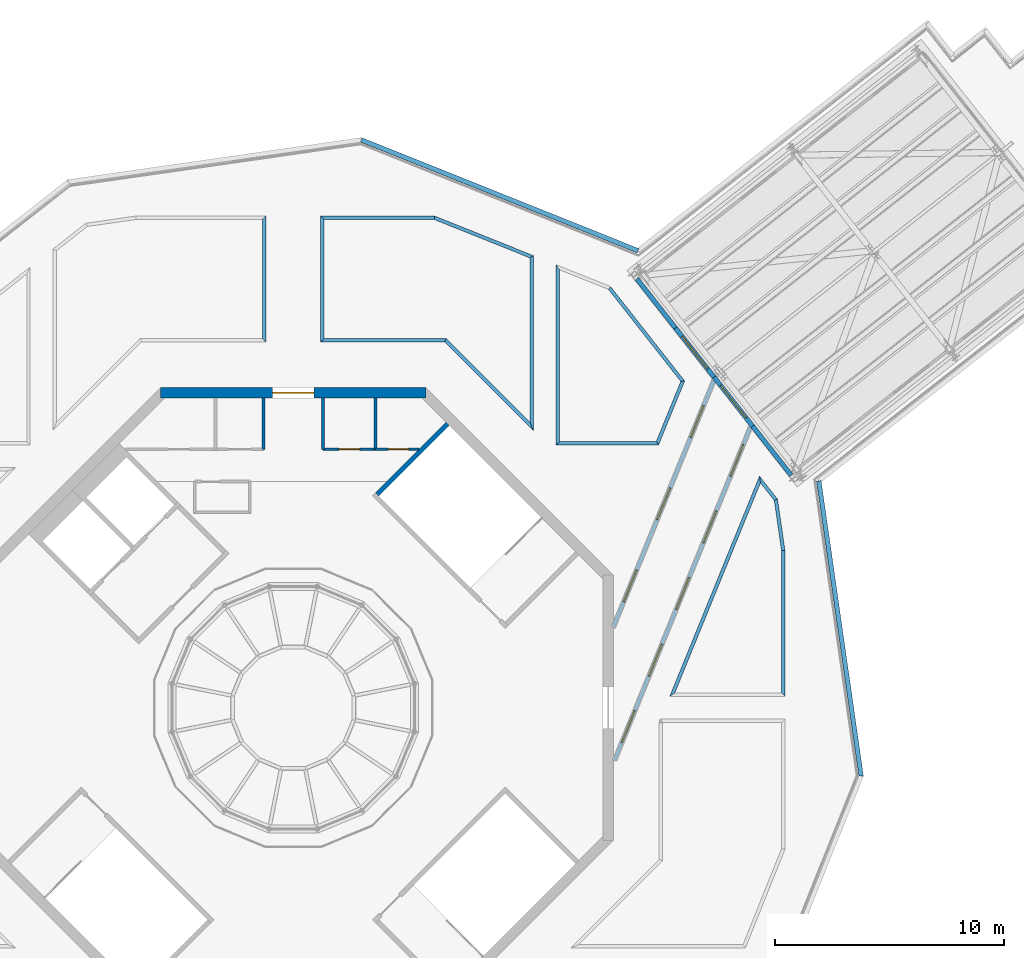
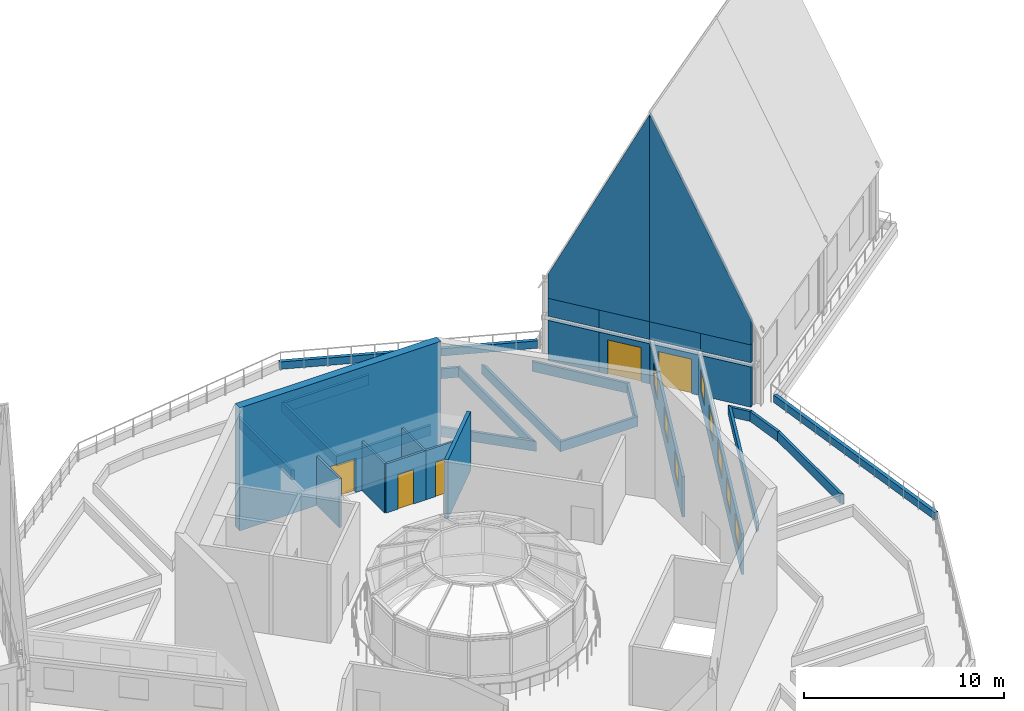
# One storey, part 16 of 32: 36 walls, 8 windows, 5 doors, 13 openings.
"""IFC4 building model written with IfcOpenShell, lengths in metres."""

from ifc_helpers import new_model, si_unit, direction, frame, frame_2d, origin, place, context, subcontext, project, spatial, polyline, rectangle, outline, extrude, material, layer, layer_set, type_object, element, fill, save


model = new_model("IFC4")

# Units and contexts
model_context = context("Model", 3, precision=1e-05, world=origin(), true_north=direction((0.0, 1.0)))
body_context = subcontext(model_context, "Body", "Model", "MODEL_VIEW")
ifc_project = project(units=[si_unit("LENGTHUNIT", "METRE"), si_unit("AREAUNIT", "SQUARE_METRE"), si_unit("VOLUMEUNIT", "CUBIC_METRE"), si_unit("PLANEANGLEUNIT", "RADIAN"), si_unit("MASSUNIT", "GRAM", prefix="KILO")], contexts=[model_context])

# Site, building, storey
site_placement = place(None, origin())
site = spatial("IfcSite", under=ifc_project, at=site_placement, CompositionType="ELEMENT")
building_placement = place(site_placement, origin())
building = spatial("IfcBuilding", under=site, at=building_placement, Name="Verdalira Terraces Hotel", CompositionType="ELEMENT")
storey_placement = place(building_placement, frame((0.0, 0.0, 315.0)))
storey = spatial("IfcBuildingStorey", under=building, at=storey_placement, Name="L78", CompositionType="ELEMENT", Elevation=315.0)

# Walls
ifc_material_1 = material(Name="Concrete C40", Category="concrete")
ifc_layer_1 = layer(ifc_material_1, 0.199951171875)
ifc_layer_set_1 = layer_set([ifc_layer_1], Name="Bronze clad gable end wall 200 mm")
wall_type_1 = type_object("IfcWallType", Name="Bronze clad gable end wall 200 mm", PredefinedType="SOLIDWALL", material=ifc_layer_set_1)
wall_1_placement = place(storey_placement, frame((21.774658, 10.16626, 0.0), z_axis=(0.0, 0.0, 1.0), x_axis=(-0.6178334, 0.78630903, 0.0)))
element("IfcWall", 1, at=wall_1_placement, inside=storey, type_object=wall_type_1, Name="Bronze clad gable end wall G3S1", PredefinedType="SOLIDWALL", context=body_context, shape_type="SweptSolid", body=[
    extrude(rectangle(XDim=2.730225, YDim=0.199951, at=frame_2d((1.365234, 0.0))), origin(), (0.0, 0.0, 1.0), 2.456055),
])
wall_2_placement = place(storey_placement, frame((21.774658, 10.16626, 2.709961), z_axis=(0.0, 0.0, 1.0), x_axis=(-0.6178334, 0.78630903, 0.0)))
element("IfcWall", 2, at=wall_2_placement, inside=storey, type_object=wall_type_1, Name="Bronze clad gable end wall G3S1 middle course", PredefinedType="SOLIDWALL", context=body_context, shape_type="SweptSolid", body=[
    extrude(rectangle(XDim=2.730225, YDim=0.199951, at=frame_2d((1.365234, 0.0))), origin(), (0.0, 0.0, 1.0), 1.090088),
])

# Wall, opening, door
wall_3_placement = place(storey_placement, frame((20.087891, 12.312988, 0.0), z_axis=(0.0, 0.0, 1.0), x_axis=(-0.617876845, 0.786274891, 0.0)))
wall_3 = element("IfcWall", 3, at=wall_3_placement, inside=storey, type_object=wall_type_1, Name="Bronze clad gable end wall G3S2", PredefinedType="SOLIDWALL", context=body_context, shape_type="SweptSolid", body=[
    extrude(rectangle(XDim=2.72998, YDim=0.199951, at=frame_2d((1.36499, 0.0))), origin(), (0.0, 0.0, 1.0), 2.456055),
])
opening_1_placement = place(wall_3_placement, frame((0.465088, 0.0, 0.0)))
opening_1 = element("IfcOpeningElement", 4, at=opening_1_placement, cuts=wall_3, Name="Opening L78-D11", PredefinedType="OPENING", context=body_context, shape_type="SweptSolid", body=[
    extrude(rectangle(XDim=1.800049, YDim=2.100098, at=frame_2d((0.899902, 1.050049))), frame((0.0, 0.109863, 0.0), z_axis=(0.0, -1.0, 0.0), x_axis=(1.0, 0.0, 0.0)), (0.0, 0.0, 1.0), 0.219971),
])
ifc_material_2 = material(Name="Steel and glass door", Category="steel")
door_type_1 = type_object("IfcDoorType", Name="Pavilion door pair 1800 x 2100", OperationType="DOUBLE_DOOR_SINGLE_SWING", PredefinedType="DOOR", material=ifc_material_2)
door_1_placement = place(opening_1_placement, origin())
door_1 = element("IfcDoor", 5, at=door_1_placement, inside=storey, type_object=door_type_1, Name="Garden pavilion door", OperationType="DOUBLE_DOOR_SINGLE_SWING", OverallHeight=2.10009765625, OverallWidth=1.800048828125, PredefinedType="DOOR", context=body_context, shape_type="SweptSolid", body=[
    extrude(rectangle(XDim=1.800049, YDim=2.100098, at=frame_2d((0.899902, 1.050049))), frame((0.0, 0.024902, 0.0), z_axis=(0.0, -1.0, 0.0), x_axis=(1.0, 0.0, 0.0)), (0.0, 0.0, 1.0), 0.050049),
])
fill(opening_1, door_1)

# Wall
wall_4_placement = place(storey_placement, frame((20.087891, 12.312988, 2.709961), z_axis=(0.0, 0.0, 1.0), x_axis=(-0.617876845, 0.786274891, 0.0)))
element("IfcWall", 6, at=wall_4_placement, inside=storey, type_object=wall_type_1, Name="Bronze clad gable end wall G3S2 middle course", PredefinedType="SOLIDWALL", context=body_context, shape_type="SweptSolid", body=[
    extrude(rectangle(XDim=2.72998, YDim=0.199951, at=frame_2d((1.36499, 0.0))), origin(), (0.0, 0.0, 1.0), 1.090088),
])

# Wall, opening, door
wall_5_placement = place(storey_placement, frame((18.401123, 14.459473, 0.0), z_axis=(0.0, 0.0, 1.0), x_axis=(-0.6178334, 0.78630903, 0.0)))
wall_5 = element("IfcWall", 7, at=wall_5_placement, inside=storey, type_object=wall_type_1, Name="Bronze clad gable end wall G3S3", PredefinedType="SOLIDWALL", context=body_context, shape_type="SweptSolid", body=[
    extrude(rectangle(XDim=2.730225, YDim=0.199951, at=frame_2d((1.365234, 0.0))), origin(), (0.0, 0.0, 1.0), 2.456055),
])
opening_2_placement = place(wall_5_placement, frame((0.465088, 0.0, 0.0)))
opening_2 = element("IfcOpeningElement", 8, at=opening_2_placement, cuts=wall_5, Name="Opening L78-D12", PredefinedType="OPENING", context=body_context, shape_type="SweptSolid", body=[
    extrude(rectangle(XDim=1.800049, YDim=2.100098, at=frame_2d((0.899902, 1.050049))), frame((0.0, 0.109863, 0.0), z_axis=(0.0, -1.0, 0.0), x_axis=(1.0, 0.0, 0.0)), (0.0, 0.0, 1.0), 0.219971),
])
door_2_placement = place(opening_2_placement, origin())
door_2 = element("IfcDoor", 9, at=door_2_placement, inside=storey, type_object=door_type_1, Name="Garden pavilion door", OperationType="DOUBLE_DOOR_SINGLE_SWING", OverallHeight=2.10009765625, OverallWidth=1.800048828125, PredefinedType="DOOR", context=body_context, shape_type="SweptSolid", body=[
    extrude(rectangle(XDim=1.800049, YDim=2.100098, at=frame_2d((0.899902, 1.050049))), frame((0.0, 0.024902, 0.0), z_axis=(0.0, -1.0, 0.0), x_axis=(1.0, 0.0, 0.0)), (0.0, 0.0, 1.0), 0.050049),
])
fill(opening_2, door_2)

# Walls
wall_6_placement = place(storey_placement, frame((18.401123, 14.459473, 2.709961), z_axis=(0.0, 0.0, 1.0), x_axis=(-0.6178334, 0.78630903, 0.0)))
element("IfcWall", 10, at=wall_6_placement, inside=storey, type_object=wall_type_1, Name="Bronze clad gable end wall G3S3 middle course", PredefinedType="SOLIDWALL", context=body_context, shape_type="SweptSolid", body=[
    extrude(rectangle(XDim=2.730225, YDim=0.199951, at=frame_2d((1.365234, 0.0))), origin(), (0.0, 0.0, 1.0), 1.090088),
])
wall_7_placement = place(storey_placement, frame((16.714355, 16.606201, 0.0), z_axis=(0.0, 0.0, 1.0), x_axis=(-0.617876845, 0.786274891, 0.0)))
element("IfcWall", 11, at=wall_7_placement, inside=storey, type_object=wall_type_1, Name="Bronze clad gable end wall G3S4", PredefinedType="SOLIDWALL", context=body_context, shape_type="SweptSolid", body=[
    extrude(rectangle(XDim=2.72998, YDim=0.199951, at=frame_2d((1.36499, 0.0))), origin(), (0.0, 0.0, 1.0), 2.456055),
])
wall_8_placement = place(storey_placement, frame((16.714355, 16.606201, 2.709961), z_axis=(0.0, 0.0, 1.0), x_axis=(-0.617876845, 0.786274891, 0.0)))
element("IfcWall", 12, at=wall_8_placement, inside=storey, type_object=wall_type_1, Name="Bronze clad gable end wall G3S4 middle course", PredefinedType="SOLIDWALL", context=body_context, shape_type="SweptSolid", body=[
    extrude(rectangle(XDim=2.72998, YDim=0.199951, at=frame_2d((1.36499, 0.0))), origin(), (0.0, 0.0, 1.0), 1.090088),
])
ifc_material_3 = material(Name="Concrete C40", Category="concrete")
ifc_layer_2 = layer(ifc_material_3, 0.199951171875)
ifc_layer_set_2 = layer_set([ifc_layer_2], Name="Bronze clad gable end wall G3 upper course 200 mm")
wall_type_2 = type_object("IfcWallType", Name="Bronze clad gable end wall G3 upper course 200 mm", PredefinedType="SOLIDWALL", material=ifc_layer_set_2)
for number, where, z_axis, x_axis, name in (
    (13, (21.774658, 10.16626, 3.800049), (0.0, 0.0, 1.0), (-0.617855122, 0.786291961, 0.0), "Bronze clad gable end wall G3S upper 1"),
    (14, (15.027588, 18.752686, 3.800049), (0.0, 0.0, 1.0), (0.617855122, -0.786291961, 0.0), "Bronze clad gable end wall G3S upper 2"),
):
    element("IfcWall", number, at=place(storey_placement, frame(where, z_axis=z_axis, x_axis=x_axis)), inside=storey, type_object=wall_type_2, Name=name, PredefinedType="SOLIDWALL", context=body_context, shape_type="SweptSolid", body=[
        extrude(outline(polyline([(0.0, 0.0), (5.459961, 0.0), (5.459961, 12.626953), (0.0, 1.473389), (0.0, 0.0)])), frame((0.0, 0.100098, 0.0), z_axis=(0.0, -1.0, 0.0), x_axis=(1.0, 0.0, 0.0)), (0.0, 0.0, 1.0), 0.199951),
    ])

# Wall, opening, door
ifc_material_4 = material(Name="Concrete C50", Category="concrete")
ifc_layer_3 = layer(ifc_material_4, 0.449951171875)
ifc_layer_set_3 = layer_set([ifc_layer_3], Name="Core wall 450 C50")
wall_type_3 = type_object("IfcWallType", Name="Core wall 450 C50", PredefinedType="SHEAR", material=ifc_layer_set_3)
wall_9_placement = place(storey_placement, frame((5.799072, 13.774902, 0.0), z_axis=(0.0, 0.0, 1.0), x_axis=(-1.0, 0.0, 0.0)))
wall_9 = element("IfcWall", 15, at=wall_9_placement, inside=storey, type_object=wall_type_3, Name="Core wall CW-L78-3", PredefinedType="SHEAR", context=body_context, shape_type="SweptSolid", body=[
    extrude(rectangle(XDim=11.598145, YDim=0.449951, at=frame_2d((5.799072, 0.0))), origin(), (0.0, 0.0, 1.0), 7.5),
])
opening_3_placement = place(wall_9_placement, frame((4.898926, 0.0, 0.0)))
opening_3 = element("IfcOpeningElement", 16, at=opening_3_placement, cuts=wall_9, Name="Opening L78-D02", PredefinedType="OPENING", context=body_context, shape_type="SweptSolid", body=[
    extrude(rectangle(XDim=1.800049, YDim=2.100098, at=frame_2d((0.899902, 1.050049))), frame((0.0, 0.234863, 0.0), z_axis=(0.0, -1.0, 0.0), x_axis=(1.0, 0.0, 0.0)), (0.0, 0.0, 1.0), 0.469971),
])
ifc_material_5 = material(Name="Steel fire door", Category="steel")
door_type_2 = type_object("IfcDoorType", Name="Garden door pair 1800 x 2100", OperationType="DOUBLE_DOOR_SINGLE_SWING", PredefinedType="DOOR", material=ifc_material_5)
door_3_placement = place(opening_3_placement, origin())
door_3 = element("IfcDoor", 17, at=door_3_placement, inside=storey, type_object=door_type_2, Name="Roof garden door", OperationType="DOUBLE_DOOR_SINGLE_SWING", OverallHeight=2.10009765625, OverallWidth=1.800048828125, PredefinedType="DOOR", context=body_context, shape_type="SweptSolid", body=[
    extrude(rectangle(XDim=1.800049, YDim=2.100098, at=frame_2d((0.899902, 1.050049))), frame((0.0, 0.024902, 0.0), z_axis=(0.0, -1.0, 0.0), x_axis=(1.0, 0.0, 0.0)), (0.0, 0.0, 1.0), 0.050049),
])
fill(opening_3, door_3)

# Walls
ifc_material_6 = material(Name="Concrete C40", Category="concrete")
ifc_layer_4 = layer(ifc_material_6, 0.14990234375)
ifc_layer_set_4 = layer_set([ifc_layer_4], Name="Crown planter trough 150 x 600")
wall_type_4 = type_object("IfcWallType", Name="Crown planter trough 150 x 600", PredefinedType="SOLIDWALL", material=ifc_layer_set_4)
wall_10_placement = place(storey_placement, origin())
element("IfcWall", 18, at=wall_10_placement, inside=storey, type_object=wall_type_4, Name="Crown garden planter", PredefinedType="SOLIDWALL", context=body_context, shape_type="SweptSolid", body=[
    extrude(outline(polyline([(-1.199951, 16.0), (-1.199951, 21.5), (-1.350098, 21.350098), (-1.350098, 16.149902), (-1.199951, 16.0)])), origin(), (0.0, 0.0, 1.0), 0.600098),
])
wall_11_placement = place(storey_placement, origin())
element("IfcWall", 19, at=wall_11_placement, inside=storey, type_object=wall_type_4, Name="Crown garden planter", PredefinedType="SOLIDWALL", context=body_context, shape_type="SweptSolid", body=[
    extrude(outline(polyline([(10.5, 19.77124), (6.186523, 21.5), (6.157471, 21.350098), (10.350098, 19.669678), (10.5, 19.77124)])), origin(), (0.0, 0.0, 1.0), 0.600098),
])
wall_12_placement = place(storey_placement, origin())
element("IfcWall", 20, at=wall_12_placement, inside=storey, type_object=wall_type_4, Name="Crown garden planter", PredefinedType="SOLIDWALL", context=body_context, shape_type="SweptSolid", body=[
    extrude(outline(polyline([(6.186523, 21.5), (1.199951, 21.5), (1.350098, 21.350098), (6.157471, 21.350098), (6.186523, 21.5)])), origin(), (0.0, 0.0, 1.0), 0.600098),
])
wall_13_placement = place(storey_placement, origin())
element("IfcWall", 21, at=wall_13_placement, inside=storey, type_object=wall_type_4, Name="Crown garden planter", PredefinedType="SOLIDWALL", context=body_context, shape_type="SweptSolid", body=[
    extrude(outline(polyline([(1.199951, 21.5), (1.199951, 16.0), (1.350098, 16.149902), (1.350098, 21.350098), (1.199951, 21.5)])), origin(), (0.0, 0.0, 1.0), 0.600098),
])
wall_14_placement = place(storey_placement, origin())
element("IfcWall", 22, at=wall_14_placement, inside=storey, type_object=wall_type_4, Name="Crown garden planter", PredefinedType="SOLIDWALL", context=body_context, shape_type="SweptSolid", body=[
    extrude(outline(polyline([(1.199951, 16.0), (6.627441, 16.0), (6.689453, 16.149902), (1.350098, 16.149902), (1.199951, 16.0)])), origin(), (0.0, 0.0, 1.0), 0.600098),
])
wall_15_placement = place(storey_placement, origin())
element("IfcWall", 23, at=wall_15_placement, inside=storey, type_object=wall_type_4, Name="Crown garden planter", PredefinedType="SOLIDWALL", context=body_context, shape_type="SweptSolid", body=[
    extrude(outline(polyline([(6.627441, 16.0), (10.5, 12.127441), (10.350098, 12.489502), (6.689453, 16.149902), (6.627441, 16.0)])), origin(), (0.0, 0.0, 1.0), 0.600098),
])
wall_16_placement = place(storey_placement, origin())
element("IfcWall", 24, at=wall_16_placement, inside=storey, type_object=wall_type_4, Name="Crown garden planter", PredefinedType="SOLIDWALL", context=body_context, shape_type="SweptSolid", body=[
    extrude(outline(polyline([(10.5, 12.127441), (10.5, 19.77124), (10.350098, 19.669678), (10.350098, 12.489502), (10.5, 12.127441)])), origin(), (0.0, 0.0, 1.0), 0.600098),
])
wall_17_placement = place(storey_placement, origin())
element("IfcWall", 25, at=wall_17_placement, inside=storey, type_object=wall_type_4, Name="Crown garden planter", PredefinedType="SOLIDWALL", context=body_context, shape_type="SweptSolid", body=[
    extrude(outline(polyline([(11.5, 19.370361), (11.5, 11.5), (11.649902, 11.649902), (11.649902, 19.148682), (11.5, 19.370361)])), origin(), (0.0, 0.0, 1.0), 0.600098),
])
wall_18_placement = place(storey_placement, origin())
element("IfcWall", 26, at=wall_18_placement, inside=storey, type_object=wall_type_4, Name="Crown garden planter", PredefinedType="SOLIDWALL", context=body_context, shape_type="SweptSolid", body=[
    extrude(outline(polyline([(11.5, 11.5), (15.978027, 11.5), (15.877197, 11.649902), (11.649902, 11.649902), (11.5, 11.5)])), origin(), (0.0, 0.0, 1.0), 0.600098),
])
wall_19_placement = place(storey_placement, origin())
element("IfcWall", 27, at=wall_19_placement, inside=storey, type_object=wall_type_4, Name="Crown garden planter", PredefinedType="SOLIDWALL", context=body_context, shape_type="SweptSolid", body=[
    extrude(outline(polyline([(15.978027, 11.5), (17.116211, 14.292725), (16.944336, 14.268555), (15.877197, 11.649902), (15.978027, 11.5)])), origin(), (0.0, 0.0, 1.0), 0.600098),
])
wall_20_placement = place(storey_placement, origin())
element("IfcWall", 28, at=wall_20_placement, inside=storey, type_object=wall_type_4, Name="Crown garden planter", PredefinedType="SOLIDWALL", context=body_context, shape_type="SweptSolid", body=[
    extrude(outline(polyline([(17.116211, 14.292725), (13.873779, 18.418945), (13.780762, 18.294922), (16.944336, 14.268555), (17.116211, 14.292725)])), origin(), (0.0, 0.0, 1.0), 0.600098),
])
wall_21_placement = place(storey_placement, origin())
element("IfcWall", 29, at=wall_21_placement, inside=storey, type_object=wall_type_4, Name="Crown garden planter", PredefinedType="SOLIDWALL", context=body_context, shape_type="SweptSolid", body=[
    extrude(outline(polyline([(20.387207, 10.130127), (16.462402, 0.5), (16.685547, 0.649902), (20.428711, 9.834717), (20.387207, 10.130127)])), origin(), (0.0, 0.0, 1.0), 0.600098),
])
wall_22_placement = place(storey_placement, origin())
element("IfcWall", 30, at=wall_22_placement, inside=storey, type_object=wall_type_4, Name="Crown garden planter", PredefinedType="SOLIDWALL", context=body_context, shape_type="SweptSolid", body=[
    extrude(outline(polyline([(21.5, 0.5), (21.5, 6.876221), (21.350098, 6.865479), (21.350098, 0.649902), (21.5, 0.5)])), origin(), (0.0, 0.0, 1.0), 0.600098),
])
wall_23_placement = place(storey_placement, origin())
element("IfcWall", 31, at=wall_23_placement, inside=storey, type_object=wall_type_4, Name="Crown garden planter", PredefinedType="SOLIDWALL", context=body_context, shape_type="SweptSolid", body=[
    extrude(outline(polyline([(21.5, 6.876221), (21.177734, 9.124268), (21.034912, 9.062988), (21.350098, 6.865479), (21.5, 6.876221)])), origin(), (0.0, 0.0, 1.0), 0.600098),
])
wall_24_placement = place(storey_placement, origin())
element("IfcWall", 32, at=wall_24_placement, inside=storey, type_object=wall_type_4, Name="Crown garden planter", PredefinedType="SOLIDWALL", context=body_context, shape_type="SweptSolid", body=[
    extrude(outline(polyline([(21.177734, 9.124268), (20.387207, 10.130127), (20.428711, 9.834717), (21.034912, 9.062988), (21.177734, 9.124268)])), origin(), (0.0, 0.0, 1.0), 0.600098),
])

# Wall, opening, door
ifc_material_7 = material(Name="Masonry partition, plastered", Category="masonry")
ifc_layer_5 = layer(ifc_material_7, 0.1201171875)
ifc_layer_set_5 = layer_set([ifc_layer_5], Name="Crown riser and store wall 120 mm")
wall_type_5 = type_object("IfcWallType", Name="Crown riser and store wall 120 mm", PredefinedType="PARTITIONING", material=ifc_layer_set_5)
wall_25_placement = place(storey_placement, frame((3.600098, 11.300049, 0.0), z_axis=(0.0, 0.0, 1.0), x_axis=(1.0, 0.0, 0.0)))
wall_25 = element("IfcWall", 33, at=wall_25_placement, inside=storey, type_object=wall_type_5, Name="Crown service block wall", PredefinedType="PARTITIONING", context=body_context, shape_type="SweptSolid", body=[
    extrude(rectangle(XDim=1.903076, YDim=0.120117, at=frame_2d((0.95166, 0.0))), origin(), (0.0, 0.0, 1.0), 3.0),
])
opening_4_placement = place(wall_25_placement, frame((0.550049, 0.0, 0.0)))
opening_4 = element("IfcOpeningElement", 34, at=opening_4_placement, cuts=wall_25, Name="Opening L78-D16", PredefinedType="OPENING", context=body_context, shape_type="SweptSolid", body=[
    extrude(rectangle(XDim=0.899902, YDim=2.100098, at=frame_2d((0.449951, 1.050049))), frame((0.0, 0.070068, 0.0), z_axis=(0.0, -1.0, 0.0), x_axis=(1.0, 0.0, 0.0)), (0.0, 0.0, 1.0), 0.140137),
])
ifc_material_8 = material(Name="Steel fire door", Category="steel")
door_type_3 = type_object("IfcDoorType", Name="Store door 900 x 2100", OperationType="SINGLE_SWING_RIGHT", PredefinedType="DOOR", material=ifc_material_8)
door_4_placement = place(opening_4_placement, origin())
door_4 = element("IfcDoor", 35, at=door_4_placement, inside=storey, type_object=door_type_3, Name="Housekeeping store door", OperationType="SINGLE_SWING_RIGHT", OverallHeight=2.10009765625, OverallWidth=0.89990234375, PredefinedType="DOOR", context=body_context, shape_type="SweptSolid", body=[
    extrude(rectangle(XDim=0.899902, YDim=2.100098, at=frame_2d((0.449951, 1.050049))), frame((0.0, 0.024902, 0.0), z_axis=(0.0, -1.0, 0.0), x_axis=(1.0, 0.0, 0.0)), (0.0, 0.0, 1.0), 0.050049),
])
fill(opening_4, door_4)

# Wall
wall_26_placement = place(storey_placement, frame((3.600098, 11.300049, 0.0), z_axis=(0.0, 0.0, 1.0), x_axis=(0.0, 1.0, 0.0)))
element("IfcWall", 36, at=wall_26_placement, inside=storey, type_object=wall_type_5, Name="Crown service block wall", PredefinedType="PARTITIONING", context=body_context, shape_type="SweptSolid", body=[
    extrude(rectangle(XDim=2.250977, YDim=0.120117, at=frame_2d((1.125488, 0.0))), origin(), (0.0, 0.0, 1.0), 3.0),
])

# Wall, opening, door
ifc_material_9 = material(Name="Masonry partition, plastered", Category="masonry")
ifc_layer_6 = layer(ifc_material_9, 0.1201171875)
ifc_layer_set_6 = layer_set([ifc_layer_6], Name="Crown service block wall 120 mm")
wall_type_6 = type_object("IfcWallType", Name="Crown service block wall 120 mm", PredefinedType="PARTITIONING", material=ifc_layer_set_6)
wall_27_placement = place(storey_placement, frame((1.300049, 11.300049, 0.0), z_axis=(0.0, 0.0, 1.0), x_axis=(1.0, 0.0, 0.0)))
wall_27 = element("IfcWall", 37, at=wall_27_placement, inside=storey, type_object=wall_type_6, Name="Crown service block wall", PredefinedType="PARTITIONING", context=body_context, shape_type="SweptSolid", body=[
    extrude(rectangle(XDim=2.300049, YDim=0.120117, at=frame_2d((1.149902, 0.0))), origin(), (0.0, 0.0, 1.0), 3.0),
])
opening_5_placement = place(wall_27_placement, frame((0.699951, 0.0, 0.0)))
opening_5 = element("IfcOpeningElement", 38, at=opening_5_placement, cuts=wall_27, Name="Opening L78-D15", PredefinedType="OPENING", context=body_context, shape_type="SweptSolid", body=[
    extrude(rectangle(XDim=0.899902, YDim=2.100098, at=frame_2d((0.449951, 1.050049))), frame((0.0, 0.070068, 0.0), z_axis=(0.0, -1.0, 0.0), x_axis=(1.0, 0.0, 0.0)), (0.0, 0.0, 1.0), 0.140137),
])
ifc_material_10 = material(Name="Timber door set", Category="wood")
door_type_4 = type_object("IfcDoorType", Name="Service block door 900 x 2100", OperationType="SINGLE_SWING_RIGHT", PredefinedType="DOOR", material=ifc_material_10)
door_5_placement = place(opening_5_placement, origin())
door_5 = element("IfcDoor", 39, at=door_5_placement, inside=storey, type_object=door_type_4, Name="Men's WC door", OperationType="SINGLE_SWING_RIGHT", OverallHeight=2.10009765625, OverallWidth=0.89990234375, PredefinedType="DOOR", context=body_context, shape_type="SweptSolid", body=[
    extrude(rectangle(XDim=0.899902, YDim=2.100098, at=frame_2d((0.449951, 1.050049))), frame((0.0, 0.024902, 0.0), z_axis=(0.0, -1.0, 0.0), x_axis=(1.0, 0.0, 0.0)), (0.0, 0.0, 1.0), 0.050049),
])
fill(opening_5, door_5)

# Walls
for number, where, z_axis, x_axis, name in (
    (40, (-1.300049, 11.300049, 0.0), (0.0, 0.0, 1.0), (0.0, 1.0, 0.0), "Crown service block wall"),
    (41, (1.300049, 11.300049, 0.0), (0.0, 0.0, 1.0), (0.0, 1.0, 0.0), "Crown service block wall"),
):
    element("IfcWall", number, at=place(storey_placement, frame(where, z_axis=z_axis, x_axis=x_axis)), inside=storey, type_object=wall_type_6, Name=name, PredefinedType="PARTITIONING", context=body_context, shape_type="SweptSolid", body=[
        extrude(rectangle(XDim=2.250977, YDim=0.120117, at=frame_2d((1.125488, 0.0))), origin(), (0.0, 0.0, 1.0), 3.0),
    ])
ifc_material_11 = material(Name="Concrete C40", Category="concrete")
ifc_layer_7 = layer(ifc_material_11, 0.199951171875)
ifc_layer_set_7 = layer_set([ifc_layer_7], Name="Crown upstand 200 x 450")
wall_type_7 = type_object("IfcWallType", Name="Crown upstand 200 x 450", PredefinedType="SOLIDWALL", material=ifc_layer_set_7)
wall_28_placement = place(storey_placement, frame((24.83252, -2.97876, 0.0), z_axis=(0.0, 0.0, 1.0), x_axis=(-0.141938054, 0.989875542, 0.0)))
element("IfcWall", 42, at=wall_28_placement, inside=storey, type_object=wall_type_7, Name="Crown upstand", PredefinedType="SOLIDWALL", context=body_context, shape_type="SweptSolid", body=[
    extrude(rectangle(XDim=13.031006, YDim=0.199951, at=frame_2d((6.515625, 0.0))), origin(), (0.0, 0.0, 1.0), 0.449951),
])
wall_29_placement = place(storey_placement, frame((15.074219, 19.984863, 0.0), z_axis=(0.0, 0.0, 1.0), x_axis=(-0.928225808, 0.372017271, 0.0)))
element("IfcWall", 43, at=wall_29_placement, inside=storey, type_object=wall_type_7, Name="Crown upstand", PredefinedType="SOLIDWALL", context=body_context, shape_type="SweptSolid", body=[
    extrude(rectangle(XDim=13.030762, YDim=0.199951, at=frame_2d((6.515381, 0.0))), origin(), (0.0, 0.0, 1.0), 0.449951),
])

# Wall, openings, windows
ifc_material_12 = material(Name="Concrete C40", Category="concrete")
ifc_layer_8 = layer(ifc_material_12, 0.14990234375)
ifc_layer_set_8 = layer_set([ifc_layer_8], Name="Garden link wall 150 mm")
wall_type_8 = type_object("IfcWallType", Name="Garden link wall 150 mm", PredefinedType="SOLIDWALL", material=ifc_layer_set_8)
wall_30_placement = place(storey_placement, frame((14.0, 3.532959, 0.0), z_axis=(0.0, 0.0, 1.0), x_axis=(0.377405511, 0.926048098, 0.0)))
wall_30 = element("IfcWall", 44, at=wall_30_placement, inside=storey, type_object=wall_type_8, Name="Garden link wall", PredefinedType="SOLIDWALL", context=body_context, shape_type="SweptSolid", body=[
    extrude(rectangle(XDim=11.636963, YDim=0.149902, at=frame_2d((5.818359, 0.0))), origin(), (0.0, 0.0, 1.0), 2.459961),
])
opening_6_placement = place(wall_30_placement, frame((1.189453, 0.0, 0.899902)))
opening_6 = element("IfcOpeningElement", 45, at=opening_6_placement, cuts=wall_30, Name="Opening WGK", PredefinedType="OPENING", context=body_context, shape_type="SweptSolid", body=[
    extrude(rectangle(XDim=1.5, YDim=1.300049, at=frame_2d((0.75, 0.649902))), frame((0.0, 0.084961, 0.0), z_axis=(0.0, -1.0, 0.0), x_axis=(1.0, 0.0, 0.0)), (0.0, 0.0, 1.0), 0.169922),
])
opening_7_placement = place(wall_30_placement, frame((5.068604, 0.0, 0.899902)))
opening_7 = element("IfcOpeningElement", 46, at=opening_7_placement, cuts=wall_30, Name="Opening WGK", PredefinedType="OPENING", context=body_context, shape_type="SweptSolid", body=[
    extrude(rectangle(XDim=1.5, YDim=1.300049, at=frame_2d((0.75, 0.649902))), frame((0.0, 0.084961, 0.0), z_axis=(0.0, -1.0, 0.0), x_axis=(1.0, 0.0, 0.0)), (0.0, 0.0, 1.0), 0.169922),
])
opening_8_placement = place(wall_30_placement, frame((8.94751, 0.0, 0.899902)))
opening_8 = element("IfcOpeningElement", 47, at=opening_8_placement, cuts=wall_30, Name="Opening WGK", PredefinedType="OPENING", context=body_context, shape_type="SweptSolid", body=[
    extrude(rectangle(XDim=1.5, YDim=1.300049, at=frame_2d((0.75, 0.649902))), frame((0.0, 0.084961, 0.0), z_axis=(0.0, -1.0, 0.0), x_axis=(1.0, 0.0, 0.0)), (0.0, 0.0, 1.0), 0.169922),
])
ifc_material_13 = material(Name="Clear laminated glass", Category="glass")
window_type = type_object("IfcWindowType", Name="Garden link window 1500 x 1300", PartitioningType="SINGLE_PANEL", PredefinedType="WINDOW", material=ifc_material_13)
window_1_placement = place(opening_6_placement, origin())
window_1 = element("IfcWindow", 48, at=window_1_placement, inside=storey, type_object=window_type, Name="Garden link window", OverallHeight=1.300048828125, OverallWidth=1.5, PartitioningType="SINGLE_PANEL", PredefinedType="WINDOW", context=body_context, shape_type="SweptSolid", body=[
    extrude(rectangle(XDim=1.5, YDim=1.300049, at=frame_2d((0.75, 0.649902))), frame((0.0, 0.030029, 0.0), z_axis=(0.0, -1.0, 0.0), x_axis=(1.0, 0.0, 0.0)), (0.0, 0.0, 1.0), 0.060059),
])
fill(opening_6, window_1)
window_2_placement = place(opening_7_placement, origin())
window_2 = element("IfcWindow", 49, at=window_2_placement, inside=storey, type_object=window_type, Name="Garden link window", OverallHeight=1.300048828125, OverallWidth=1.5, PartitioningType="SINGLE_PANEL", PredefinedType="WINDOW", context=body_context, shape_type="SweptSolid", body=[
    extrude(rectangle(XDim=1.5, YDim=1.300049, at=frame_2d((0.75, 0.649902))), frame((0.0, 0.030029, 0.0), z_axis=(0.0, -1.0, 0.0), x_axis=(1.0, 0.0, 0.0)), (0.0, 0.0, 1.0), 0.060059),
])
fill(opening_7, window_2)
window_3_placement = place(opening_8_placement, origin())
window_3 = element("IfcWindow", 50, at=window_3_placement, inside=storey, type_object=window_type, Name="Garden link window", OverallHeight=1.300048828125, OverallWidth=1.5, PartitioningType="SINGLE_PANEL", PredefinedType="WINDOW", context=body_context, shape_type="SweptSolid", body=[
    extrude(rectangle(XDim=1.5, YDim=1.300049, at=frame_2d((0.75, 0.649902))), frame((0.0, 0.030029, 0.0), z_axis=(0.0, -1.0, 0.0), x_axis=(1.0, 0.0, 0.0)), (0.0, 0.0, 1.0), 0.060059),
])
fill(opening_8, window_3)

wall_31_placement = place(storey_placement, frame((14.062012, -2.276611, 0.0), z_axis=(0.0, 0.0, 1.0), x_axis=(0.377400043, 0.926050327, 0.0)))
wall_31 = element("IfcWall", 51, at=wall_31_placement, inside=storey, type_object=wall_type_8, Name="Garden link wall", PredefinedType="SOLIDWALL", context=body_context, shape_type="SweptSolid", body=[
    extrude(rectangle(XDim=15.711914, YDim=0.149902, at=frame_2d((7.855957, 0.0))), origin(), (0.0, 0.0, 1.0), 2.459961),
])
opening_9_placement = place(wall_31_placement, frame((0.821289, 0.0, 0.899902)))
opening_9 = element("IfcOpeningElement", 52, at=opening_9_placement, cuts=wall_31, Name="Opening WGK", PredefinedType="OPENING", context=body_context, shape_type="SweptSolid", body=[
    extrude(rectangle(XDim=1.5, YDim=1.300049, at=frame_2d((0.75, 0.649902))), frame((0.0, 0.084961, 0.0), z_axis=(0.0, -1.0, 0.0), x_axis=(1.0, 0.0, 0.0)), (0.0, 0.0, 1.0), 0.169922),
])
opening_10_placement = place(wall_31_placement, frame((3.963623, 0.0, 0.899902)))
opening_10 = element("IfcOpeningElement", 53, at=opening_10_placement, cuts=wall_31, Name="Opening WGK", PredefinedType="OPENING", context=body_context, shape_type="SweptSolid", body=[
    extrude(rectangle(XDim=1.5, YDim=1.300049, at=frame_2d((0.75, 0.649902))), frame((0.0, 0.084961, 0.0), z_axis=(0.0, -1.0, 0.0), x_axis=(1.0, 0.0, 0.0)), (0.0, 0.0, 1.0), 0.169922),
])
opening_11_placement = place(wall_31_placement, frame((7.105957, 0.0, 0.899902)))
opening_11 = element("IfcOpeningElement", 54, at=opening_11_placement, cuts=wall_31, Name="Opening WGK", PredefinedType="OPENING", context=body_context, shape_type="SweptSolid", body=[
    extrude(rectangle(XDim=1.5, YDim=1.300049, at=frame_2d((0.75, 0.649902))), frame((0.0, 0.084961, 0.0), z_axis=(0.0, -1.0, 0.0), x_axis=(1.0, 0.0, 0.0)), (0.0, 0.0, 1.0), 0.169922),
])
opening_12_placement = place(wall_31_placement, frame((10.248291, 0.0, 0.899902)))
opening_12 = element("IfcOpeningElement", 55, at=opening_12_placement, cuts=wall_31, Name="Opening WGK", PredefinedType="OPENING", context=body_context, shape_type="SweptSolid", body=[
    extrude(rectangle(XDim=1.5, YDim=1.300049, at=frame_2d((0.75, 0.649902))), frame((0.0, 0.084961, 0.0), z_axis=(0.0, -1.0, 0.0), x_axis=(1.0, 0.0, 0.0)), (0.0, 0.0, 1.0), 0.169922),
])
opening_13_placement = place(wall_31_placement, frame((13.390869, 0.0, 0.899902)))
opening_13 = element("IfcOpeningElement", 56, at=opening_13_placement, cuts=wall_31, Name="Opening WGK", PredefinedType="OPENING", context=body_context, shape_type="SweptSolid", body=[
    extrude(rectangle(XDim=1.5, YDim=1.300049, at=frame_2d((0.75, 0.649902))), frame((0.0, 0.084961, 0.0), z_axis=(0.0, -1.0, 0.0), x_axis=(1.0, 0.0, 0.0)), (0.0, 0.0, 1.0), 0.169922),
])
window_4_placement = place(opening_9_placement, origin())
window_4 = element("IfcWindow", 57, at=window_4_placement, inside=storey, type_object=window_type, Name="Garden link window", OverallHeight=1.300048828125, OverallWidth=1.5, PartitioningType="SINGLE_PANEL", PredefinedType="WINDOW", context=body_context, shape_type="SweptSolid", body=[
    extrude(rectangle(XDim=1.5, YDim=1.300049, at=frame_2d((0.75, 0.649902))), frame((0.0, 0.030029, 0.0), z_axis=(0.0, -1.0, 0.0), x_axis=(1.0, 0.0, 0.0)), (0.0, 0.0, 1.0), 0.060059),
])
fill(opening_9, window_4)
window_5_placement = place(opening_10_placement, origin())
window_5 = element("IfcWindow", 58, at=window_5_placement, inside=storey, type_object=window_type, Name="Garden link window", OverallHeight=1.300048828125, OverallWidth=1.5, PartitioningType="SINGLE_PANEL", PredefinedType="WINDOW", context=body_context, shape_type="SweptSolid", body=[
    extrude(rectangle(XDim=1.5, YDim=1.300049, at=frame_2d((0.75, 0.649902))), frame((0.0, 0.030029, 0.0), z_axis=(0.0, -1.0, 0.0), x_axis=(1.0, 0.0, 0.0)), (0.0, 0.0, 1.0), 0.060059),
])
fill(opening_10, window_5)
window_6_placement = place(opening_11_placement, origin())
window_6 = element("IfcWindow", 59, at=window_6_placement, inside=storey, type_object=window_type, Name="Garden link window", OverallHeight=1.300048828125, OverallWidth=1.5, PartitioningType="SINGLE_PANEL", PredefinedType="WINDOW", context=body_context, shape_type="SweptSolid", body=[
    extrude(rectangle(XDim=1.5, YDim=1.300049, at=frame_2d((0.75, 0.649902))), frame((0.0, 0.030029, 0.0), z_axis=(0.0, -1.0, 0.0), x_axis=(1.0, 0.0, 0.0)), (0.0, 0.0, 1.0), 0.060059),
])
fill(opening_11, window_6)
window_7_placement = place(opening_12_placement, origin())
window_7 = element("IfcWindow", 60, at=window_7_placement, inside=storey, type_object=window_type, Name="Garden link window", OverallHeight=1.300048828125, OverallWidth=1.5, PartitioningType="SINGLE_PANEL", PredefinedType="WINDOW", context=body_context, shape_type="SweptSolid", body=[
    extrude(rectangle(XDim=1.5, YDim=1.300049, at=frame_2d((0.75, 0.649902))), frame((0.0, 0.030029, 0.0), z_axis=(0.0, -1.0, 0.0), x_axis=(1.0, 0.0, 0.0)), (0.0, 0.0, 1.0), 0.060059),
])
fill(opening_12, window_7)
window_8_placement = place(opening_13_placement, origin())
window_8 = element("IfcWindow", 61, at=window_8_placement, inside=storey, type_object=window_type, Name="Garden link window", OverallHeight=1.300048828125, OverallWidth=1.5, PartitioningType="SINGLE_PANEL", PredefinedType="WINDOW", context=body_context, shape_type="SweptSolid", body=[
    extrude(rectangle(XDim=1.5, YDim=1.300049, at=frame_2d((0.75, 0.649902))), frame((0.0, 0.030029, 0.0), z_axis=(0.0, -1.0, 0.0), x_axis=(1.0, 0.0, 0.0)), (0.0, 0.0, 1.0), 0.060059),
])
fill(opening_13, window_8)

# Wall
ifc_material_14 = material(Name="Concrete C50", Category="concrete")
ifc_layer_9 = layer(ifc_material_14, 0.199951171875)
ifc_layer_set_9 = layer_set([ifc_layer_9], Name="Stair head-house wall 200 C50")
wall_type_9 = type_object("IfcWallType", Name="Stair head-house wall 200 C50", PredefinedType="SOLIDWALL", material=ifc_layer_set_9)
wall_32_placement = place(storey_placement, frame((3.677002, 9.33374, 0.0), z_axis=(0.0, 0.0, 1.0), x_axis=(0.707106781, 0.707106781, 0.0)))
element("IfcWall", 62, at=wall_32_placement, inside=storey, type_object=wall_type_9, Name="L78 stair ST1 end wall 2", PredefinedType="SOLIDWALL", context=body_context, shape_type="SweptSolid", body=[
    extrude(rectangle(XDim=4.350098, YDim=0.199951, at=frame_2d((2.175049, 0.0))), origin(), (0.0, 0.0, 1.0), 3.600098),
])

save(model, "model.ifc")
